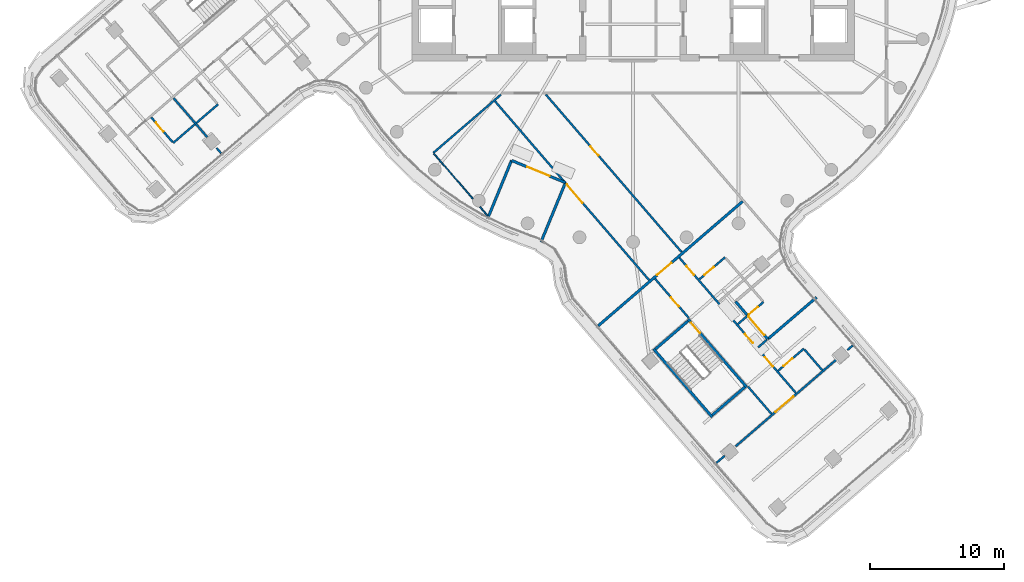
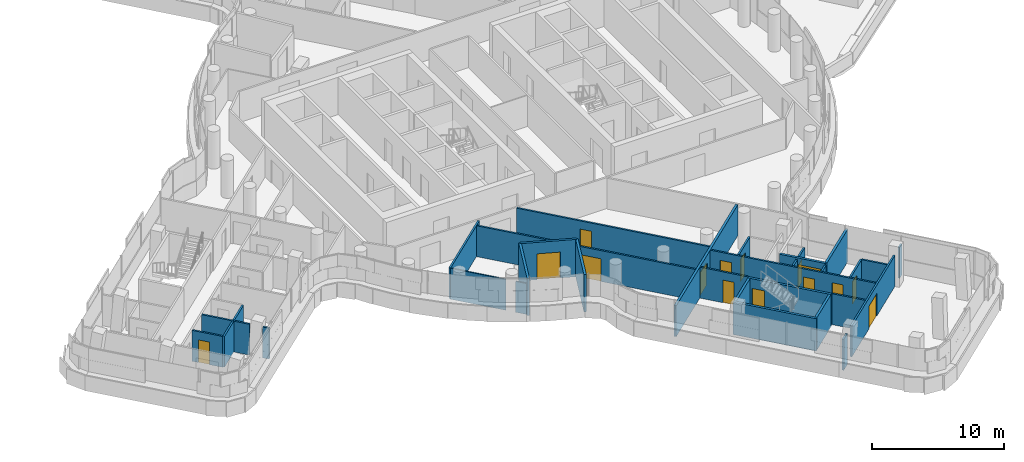
# One storey, part 21 of 34: 30 walls, 15 doors, 15 openings.
"""IFC4 building model written with IfcOpenShell, lengths in metres."""

from ifc_helpers import new_model, si_unit, direction, frame, frame_2d, origin, place, context, subcontext, project, spatial, polyline, rectangle, outline, extrude, material, layer, layer_set, type_object, element, fill, save


model = new_model("IFC4")

# Units and contexts
model_context = context("Model", 3, precision=1e-05, world=origin(), true_north=direction((0.0, 1.0)))
body_context = subcontext(model_context, "Body", "Model", "MODEL_VIEW")
ifc_project = project(units=[si_unit("LENGTHUNIT", "METRE"), si_unit("AREAUNIT", "SQUARE_METRE"), si_unit("VOLUMEUNIT", "CUBIC_METRE"), si_unit("PLANEANGLEUNIT", "RADIAN"), si_unit("MASSUNIT", "GRAM", prefix="KILO")], contexts=[model_context])

# Site, building, storey
site_placement = place(None, origin())
site = spatial("IfcSite", under=ifc_project, at=site_placement, CompositionType="ELEMENT")
building_placement = place(site_placement, origin())
building = spatial("IfcBuilding", under=site, at=building_placement, Name="Tamarind Cross Interchange Tower", CompositionType="ELEMENT")
storey_placement = place(building_placement, frame((0.0, 0.0, 182.5)))
storey = spatial("IfcBuildingStorey", under=building, at=storey_placement, Name="L45", CompositionType="ELEMENT", Elevation=182.5)

# Wall, opening, door
ifc_material_1 = material(Name="Concrete C40", Category="concrete")
ifc_layer_1 = layer(ifc_material_1, 0.199951171875)
ifc_layer_set_1 = layer_set([ifc_layer_1], Name="Concrete C40")
wall_type_1 = type_object("IfcWallType", Name="Balcony and garden door wall", PredefinedType="SOLIDWALL", material=ifc_layer_set_1)
wall_1_placement = place(storey_placement, frame((10.04931640625, -30.243896484375, 0.0), z_axis=(0.0, 0.0, 1.0), x_axis=(-0.650312392962, 0.759666895132, 0.0)))
wall_1 = element("IfcWall", 1, at=wall_1_placement, inside=storey, type_object=wall_type_1, Name="EXW-L45-WG-L45-SNa", PredefinedType="SOLIDWALL", context=body_context, shape_type="SweptSolid", body=[
    extrude(rectangle(XDim=3.69482421875, YDim=0.199951171875, at=frame_2d((1.847412109375, 0.0))), origin(), (0.0, 0.0, 1.0), 3.013916015625),
])
opening_1_placement = place(wall_1_placement, frame((0.39990234375, 0.0, 0.0)))
opening_1 = element("IfcOpeningElement", 2, at=opening_1_placement, cuts=wall_1, Name="Opening D6", PredefinedType="OPENING", context=body_context, shape_type="SweptSolid", body=[
    extrude(rectangle(XDim=1.800048828125, YDim=2.39990234375, at=frame_2d((0.89990234375, 1.199951171875))), frame((0.0, 0.10986328125, 0.0), z_axis=(0.0, -1.0, 0.0), x_axis=(1.0, 0.0, 0.0)), (0.0, 0.0, 1.0), 0.219970703125),
])
ifc_material_2 = material(Name="Aluminium and toughened glass, fire-resisting", Category="aluminium")
door_type_1 = type_object("IfcDoorType", Name="Roof garden door, fire-resisting", OperationType="DOUBLE_DOOR_SINGLE_SWING", PredefinedType="DOOR", material=ifc_material_2)
door_1_placement = place(opening_1_placement, origin())
door_1 = element("IfcDoor", 3, at=door_1_placement, inside=storey, type_object=door_type_1, Name="DOR-L45-WG-L45-SNa", OperationType="SINGLE_SWING_LEFT", OverallHeight=2.39990234375, OverallWidth=1.800048828125, PredefinedType="DOOR", context=body_context, shape_type="SweptSolid", body=[
    extrude(rectangle(XDim=1.800048828125, YDim=2.39990234375, at=frame_2d((0.89990234375, 1.199951171875))), frame((0.0, 0.02490234375, 0.0), z_axis=(0.0, -1.0, 0.0), x_axis=(1.0, 0.0, 0.0)), (0.0, 0.0, 1.0), 0.050048828125),
])
fill(opening_1, door_1)

# Wall
wall_2_placement = place(storey_placement, frame((10.04931640625, -30.243896484375, 0.0), z_axis=(0.0, 0.0, 1.0), x_axis=(0.759644225887, 0.650338873263, 0.0)))
element("IfcWall", 4, at=wall_2_placement, inside=storey, type_object=wall_type_1, Name="EXW-L45-WG-L45-SNa-R0", PredefinedType="SOLIDWALL", context=body_context, shape_type="SweptSolid", body=[
    extrude(rectangle(XDim=4.800048828125, YDim=0.199951171875, at=frame_2d((2.39990234375, 0.0))), origin(), (0.0, 0.0, 1.0), 3.013916015625),
])

# Wall, opening, door
wall_3_placement = place(storey_placement, frame((-9.061767578125, -16.917724609375, 0.0), z_axis=(0.0, 0.0, 1.0), x_axis=(0.924739730044, -0.380600094164, 0.0)))
wall_3 = element("IfcWall", 5, at=wall_3_placement, inside=storey, type_object=wall_type_1, Name="EXW-L45-WG-L45-WS", PredefinedType="SOLIDWALL", context=body_context, shape_type="SweptSolid", body=[
    extrude(rectangle(XDim=4.34716796875, YDim=0.199951171875, at=frame_2d((2.173583984375, 0.0))), origin(), (0.0, 0.0, 1.0), 3.4599609375),
])
opening_2_placement = place(wall_3_placement, frame((1.2734375, 0.0, 0.0)))
opening_2 = element("IfcOpeningElement", 6, at=opening_2_placement, cuts=wall_3, Name="Opening D5", PredefinedType="OPENING", context=body_context, shape_type="SweptSolid", body=[
    extrude(rectangle(XDim=1.800048828125, YDim=2.39990234375, at=frame_2d((0.89990234375, 1.199951171875))), frame((0.0, 0.10986328125, 0.0), z_axis=(0.0, -1.0, 0.0), x_axis=(1.0, 0.0, 0.0)), (0.0, 0.0, 1.0), 0.219970703125),
])
ifc_material_3 = material(Name="Aluminium and toughened glass", Category="aluminium")
door_type_2 = type_object("IfcDoorType", Name="Roof garden door", OperationType="DOUBLE_DOOR_SINGLE_SWING", PredefinedType="DOOR", material=ifc_material_3)
door_2_placement = place(opening_2_placement, origin())
door_2 = element("IfcDoor", 7, at=door_2_placement, inside=storey, type_object=door_type_2, Name="DOR-L45-WG-L45-WS", OperationType="SINGLE_SWING_LEFT", OverallHeight=2.39990234375, OverallWidth=1.800048828125, PredefinedType="DOOR", context=body_context, shape_type="SweptSolid", body=[
    extrude(rectangle(XDim=1.800048828125, YDim=2.39990234375, at=frame_2d((0.89990234375, 1.199951171875))), frame((0.0, 0.02490234375, 0.0), z_axis=(0.0, -1.0, 0.0), x_axis=(1.0, 0.0, 0.0)), (0.0, 0.0, 1.0), 0.050048828125),
])
fill(opening_2, door_2)

# Walls
wall_4_placement = place(storey_placement, frame((-9.0615234375, -16.91796875, 0.0), z_axis=(0.0, 0.0, 1.0), x_axis=(-0.380580288667, -0.924747881251, 0.0)))
element("IfcWall", 8, at=wall_4_placement, inside=storey, type_object=wall_type_1, Name="EXW-L45-WG-L45-WS-R0", PredefinedType="SOLIDWALL", context=body_context, shape_type="SweptSolid", body=[
    extrude(rectangle(XDim=4.70849609375, YDim=0.199951171875, at=frame_2d((2.354248046875, 0.0))), origin(), (0.0, 0.0, 1.0), 3.4599609375),
])
wall_5_placement = place(storey_placement, frame((-5.041748046875, -18.572265625, 0.0), z_axis=(0.0, 0.0, 1.0), x_axis=(-0.380570406195, -0.924751948324, 0.0)))
element("IfcWall", 9, at=wall_5_placement, inside=storey, type_object=wall_type_1, Name="EXW-L45-WG-L45-WS-R1", PredefinedType="SOLIDWALL", context=body_context, shape_type="SweptSolid", body=[
    extrude(rectangle(XDim=4.79150390625, YDim=0.199951171875, at=frame_2d((2.395751953125, 0.0))), origin(), (0.0, 0.0, 1.0), 3.4599609375),
])
ifc_material_4 = material(Name="Gypsum board partition on steel studs", Category="steel")
ifc_layer_2 = layer(ifc_material_4, 0.10009765625)
ifc_layer_set_2 = layer_set([ifc_layer_2], Name="Gypsum board partition on steel studs")
wall_type_2 = type_object("IfcWallType", Name="Partition 100 mm EI 90", PredefinedType="PARTITIONING", material=ifc_layer_set_2)
wall_6_placement = place(storey_placement, frame((-14.846923828125, -16.410888671875, 0.0), z_axis=(0.0, 0.0, 1.0), x_axis=(0.652680882715, -0.757632935753, 0.0)))
element("IfcWall", 10, at=wall_6_placement, inside=storey, type_object=wall_type_2, Name="Partition L45-016", PredefinedType="PARTITIONING", context=body_context, shape_type="SweptSolid", body=[
    extrude(rectangle(XDim=4.443115234375, YDim=0.10009765625, at=frame_2d((2.2216796875, 0.0))), origin(), (0.0, 0.0, 1.0), 2.864013671875),
])
wall_7_placement = place(storey_placement, frame((-11.4248046875, -20.38330078125, 0.0), z_axis=(0.0, 0.0, 1.0), x_axis=(0.652545214722, -0.757749789009, 0.0)))
element("IfcWall", 11, at=wall_7_placement, inside=storey, type_object=wall_type_2, Name="Partition L45-017", PredefinedType="PARTITIONING", context=body_context, shape_type="SweptSolid", body=[
    extrude(rectangle(XDim=0.8818359375, YDim=0.10009765625, at=frame_2d((0.44091796875, 0.0))), origin(), (0.0, 0.0, 1.0), 2.864013671875),
])
ifc_layer_3 = layer(ifc_material_4, 0.14990234375)
ifc_layer_set_3 = layer_set([ifc_layer_3], Name="Gypsum board partition on steel studs")
wall_type_3 = type_object("IfcWallType", Name="Partition 150 mm EI 120", PredefinedType="PARTITIONING", material=ifc_layer_set_3)
wall_8_placement = place(storey_placement, frame((-34.27099609375, -12.26171875, 0.0), z_axis=(0.0, 0.0, 1.0), x_axis=(0.652795291218, -0.757534360781, 0.0)))
element("IfcWall", 12, at=wall_8_placement, inside=storey, type_object=wall_type_3, Name="Partition L45-004", PredefinedType="PARTITIONING", context=body_context, shape_type="SweptSolid", body=[
    extrude(rectangle(XDim=3.848388671875, YDim=0.14990234375, at=frame_2d((1.92431640625, 0.0))), origin(), (0.0, 0.0, 1.0), 2.864013671875),
])
wall_9_placement = place(storey_placement, frame((-31.063232421875, -15.984375, 0.0), z_axis=(0.0, 0.0, 1.0), x_axis=(0.652709025629, -0.757608690462, 0.0)))
element("IfcWall", 13, at=wall_9_placement, inside=storey, type_object=wall_type_3, Name="Partition L45-005", PredefinedType="PARTITIONING", context=body_context, shape_type="SweptSolid", body=[
    extrude(rectangle(XDim=0.523681640625, YDim=0.14990234375, at=frame_2d((0.26171875, 0.0))), origin(), (0.0, 0.0, 1.0), 2.864013671875),
])

# Wall, opening, door
wall_10_placement = place(storey_placement, frame((-35.937744140625, -13.697509765625, 0.0), z_axis=(0.0, 0.0, 1.0), x_axis=(0.652688747073, -0.757626160745, 0.0)))
wall_10 = element("IfcWall", 14, at=wall_10_placement, inside=storey, type_object=wall_type_3, Name="Partition L45-007", PredefinedType="PARTITIONING", context=body_context, shape_type="SweptSolid", body=[
    extrude(rectangle(XDim=2.445068359375, YDim=0.14990234375, at=frame_2d((1.22265625, 0.0))), origin(), (0.0, 0.0, 1.0), 2.864013671875),
])
opening_3_placement = place(wall_10_placement, frame((0.52001953125, 0.0, 0.0)))
opening_3 = element("IfcOpeningElement", 15, at=opening_3_placement, cuts=wall_10, Name="Opening D03", PredefinedType="OPENING", context=body_context, shape_type="SweptSolid", body=[
    extrude(rectangle(XDim=0.89990234375, YDim=2.10009765625, at=frame_2d((0.449951171875, 1.050048828125))), frame((0.0, 0.0849609375, 0.0), z_axis=(0.0, -1.0, 0.0), x_axis=(1.0, 0.0, 0.0)), (0.0, 0.0, 1.0), 0.169921875),
])
ifc_material_5 = material(Name="Fire-resisting door set")
door_type_3 = type_object("IfcDoorType", Name="Interior door 900 x 2100 FD60S", OperationType="SINGLE_SWING_LEFT", PredefinedType="DOOR", material=ifc_material_5)
door_3_placement = place(opening_3_placement, origin())
door_3 = element("IfcDoor", 16, at=door_3_placement, inside=storey, type_object=door_type_3, Name="Door D03", OperationType="SINGLE_SWING_RIGHT", OverallHeight=2.10009765625, OverallWidth=0.89990234375, PredefinedType="DOOR", context=body_context, shape_type="SweptSolid", body=[
    extrude(rectangle(XDim=0.89990234375, YDim=2.10009765625, at=frame_2d((0.449951171875, 1.050048828125))), frame((0.0, 0.02490234375, 0.0), z_axis=(0.0, -1.0, 0.0), x_axis=(1.0, 0.0, 0.0)), (0.0, 0.0, 1.0), 0.050048828125),
])
fill(opening_3, door_3)

wall_11_placement = place(storey_placement, frame((-10.2978515625, -12.49853515625, 0.0), z_axis=(0.0, 0.0, 1.0), x_axis=(0.652713185698, -0.757605106382, 0.0)))
wall_11 = element("IfcWall", 17, at=wall_11_placement, inside=storey, type_object=wall_type_3, Name="Partition L45-024", PredefinedType="PARTITIONING", context=body_context, shape_type="SweptSolid", body=[
    extrude(rectangle(XDim=17.61962890625, YDim=0.14990234375, at=frame_2d((8.809814453125, 0.0))), origin(), (0.0, 0.0, 1.0), 2.864013671875),
])
opening_4_placement = place(wall_11_placement, frame((8.219970703125, 0.0, 0.0)))
opening_4 = element("IfcOpeningElement", 18, at=opening_4_placement, cuts=wall_11, Name="Opening D14", PredefinedType="OPENING", context=body_context, shape_type="SweptSolid", body=[
    extrude(rectangle(XDim=1.800048828125, YDim=2.10009765625, at=frame_2d((0.89990234375, 1.050048828125))), frame((0.0, 0.0849609375, 0.0), z_axis=(0.0, -1.0, 0.0), x_axis=(1.0, 0.0, 0.0)), (0.0, 0.0, 1.0), 0.169921875),
])
door_type_4 = type_object("IfcDoorType", Name="Interior door 1800 x 2100 FD60S", OperationType="DOUBLE_DOOR_SINGLE_SWING", PredefinedType="DOOR", material=ifc_material_5)
door_4_placement = place(opening_4_placement, frame((1.800048828125, 0.0, 0.0), z_axis=(0.0, 0.0, 1.0), x_axis=(-1.0, 0.0, 0.0)))
door_4 = element("IfcDoor", 19, at=door_4_placement, inside=storey, type_object=door_type_4, Name="Door D14", OperationType="DOUBLE_DOOR_SINGLE_SWING", OverallHeight=2.10009765625, OverallWidth=1.800048828125, PredefinedType="DOOR", context=body_context, shape_type="SweptSolid", body=[
    extrude(rectangle(XDim=1.800048828125, YDim=2.10009765625, at=frame_2d((0.89990234375, 1.050048828125))), frame((0.0, 0.02490234375, 0.0), z_axis=(0.0, -1.0, 0.0), x_axis=(1.0, 0.0, 0.0)), (0.0, 0.0, 1.0), 0.050048828125),
])
fill(opening_4, door_4)

wall_12_placement = place(storey_placement, frame((-6.49853515625, -12.006103515625, 0.0), z_axis=(0.0, 0.0, 1.0), x_axis=(0.65272794867, -0.757592387122, 0.0)))
wall_12 = element("IfcWall", 20, at=wall_12_placement, inside=storey, type_object=wall_type_3, Name="Partition L45-026", PredefinedType="PARTITIONING", context=body_context, shape_type="SweptSolid", body=[
    extrude(rectangle(XDim=15.493896484375, YDim=0.14990234375, at=frame_2d((7.7470703125, 0.0))), origin(), (0.0, 0.0, 1.0), 2.864013671875),
])
opening_5_placement = place(wall_12_placement, frame((5.110107421875, 0.0, 0.0)))
opening_5 = element("IfcOpeningElement", 21, at=opening_5_placement, cuts=wall_12, Name="Opening D15", PredefinedType="OPENING", context=body_context, shape_type="SweptSolid", body=[
    extrude(rectangle(XDim=0.89990234375, YDim=2.10009765625, at=frame_2d((0.449951171875, 1.050048828125))), frame((0.0, 0.0849609375, 0.0), z_axis=(0.0, -1.0, 0.0), x_axis=(1.0, 0.0, 0.0)), (0.0, 0.0, 1.0), 0.169921875),
])
door_5_placement = place(opening_5_placement, origin())
door_5 = element("IfcDoor", 22, at=door_5_placement, inside=storey, type_object=door_type_3, Name="Door D15", OperationType="SINGLE_SWING_RIGHT", OverallHeight=2.10009765625, OverallWidth=0.89990234375, PredefinedType="DOOR", context=body_context, shape_type="SweptSolid", body=[
    extrude(rectangle(XDim=0.89990234375, YDim=2.10009765625, at=frame_2d((0.449951171875, 1.050048828125))), frame((0.0, 0.02490234375, 0.0), z_axis=(0.0, -1.0, 0.0), x_axis=(1.0, 0.0, 0.0)), (0.0, 0.0, 1.0), 0.050048828125),
])
fill(opening_5, door_5)

wall_13_placement = place(storey_placement, frame((1.63623046875, -25.73779296875, 0.0), z_axis=(0.0, 0.0, 1.0), x_axis=(0.652804508679, -0.757526417657, 0.0)))
wall_13 = element("IfcWall", 23, at=wall_13_placement, inside=storey, type_object=wall_type_3, Name="Partition L45-033", PredefinedType="PARTITIONING", context=body_context, shape_type="SweptSolid", body=[
    extrude(rectangle(XDim=3.860595703125, YDim=0.14990234375, at=frame_2d((1.93017578125, 0.0))), origin(), (0.0, 0.0, 1.0), 2.864013671875),
])
opening_6_placement = place(wall_13_placement, frame((1.85009765625, 0.0, 0.0)))
opening_6 = element("IfcOpeningElement", 24, at=opening_6_placement, cuts=wall_13, Name="Opening D19", PredefinedType="OPENING", context=body_context, shape_type="SweptSolid", body=[
    extrude(rectangle(XDim=0.89990234375, YDim=2.10009765625, at=frame_2d((0.449951171875, 1.050048828125))), frame((0.0, 0.0849609375, 0.0), z_axis=(0.0, -1.0, 0.0), x_axis=(1.0, 0.0, 0.0)), (0.0, 0.0, 1.0), 0.169921875),
])
door_6_placement = place(opening_6_placement, frame((0.89990234375, 0.0, 0.0), z_axis=(0.0, 0.0, 1.0), x_axis=(-1.0, 0.0, 0.0)))
door_6 = element("IfcDoor", 25, at=door_6_placement, inside=storey, type_object=door_type_3, Name="Door D19", OperationType="SINGLE_SWING_RIGHT", OverallHeight=2.10009765625, OverallWidth=0.89990234375, PredefinedType="DOOR", context=body_context, shape_type="SweptSolid", body=[
    extrude(rectangle(XDim=0.89990234375, YDim=2.10009765625, at=frame_2d((0.449951171875, 1.050048828125))), frame((0.0, 0.02490234375, 0.0), z_axis=(0.0, -1.0, 0.0), x_axis=(1.0, 0.0, 0.0)), (0.0, 0.0, 1.0), 0.050048828125),
])
fill(opening_6, door_6)

# Wall
wall_14_placement = place(storey_placement, frame((8.58154296875, -33.7978515625, 0.0), z_axis=(0.0, 0.0, 1.0), x_axis=(0.652799090174, -0.757531087063, 0.0)))
element("IfcWall", 26, at=wall_14_placement, inside=storey, type_object=wall_type_3, Name="Partition L45-034", PredefinedType="PARTITIONING", context=body_context, shape_type="SweptSolid", body=[
    extrude(rectangle(XDim=2.6806640625, YDim=0.14990234375, at=frame_2d((1.34033203125, 0.0))), origin(), (0.0, 0.0, 1.0), 2.864013671875),
])

# Wall, openings, doors
wall_15_placement = place(storey_placement, frame((3.454345703125, -24.171875, 0.0), z_axis=(0.0, 0.0, 1.0), x_axis=(0.652748517357, -0.757574665025, 0.0)))
wall_15 = element("IfcWall", 27, at=wall_15_placement, inside=storey, type_object=wall_type_3, Name="Partition L45-035", PredefinedType="PARTITIONING", context=body_context, shape_type="SweptSolid", body=[
    extrude(rectangle(XDim=13.319580078125, YDim=0.14990234375, at=frame_2d((6.65966796875, 0.0))), origin(), (0.0, 0.0, 1.0), 2.864013671875),
])
opening_7_placement = place(wall_15_placement, frame((0.800048828125, 0.0, 0.0)))
opening_7 = element("IfcOpeningElement", 28, at=opening_7_placement, cuts=wall_15, Name="Opening D20", PredefinedType="OPENING", context=body_context, shape_type="SweptSolid", body=[
    extrude(rectangle(XDim=0.89990234375, YDim=2.10009765625, at=frame_2d((0.449951171875, 1.050048828125))), frame((0.0, 0.0849609375, 0.0), z_axis=(0.0, -1.0, 0.0), x_axis=(1.0, 0.0, 0.0)), (0.0, 0.0, 1.0), 0.169921875),
])
opening_8_placement = place(wall_15_placement, frame((7.499755859375, 0.0, 0.0)))
opening_8 = element("IfcOpeningElement", 29, at=opening_8_placement, cuts=wall_15, Name="Opening D21", PredefinedType="OPENING", context=body_context, shape_type="SweptSolid", body=[
    extrude(rectangle(XDim=0.89990234375, YDim=2.10009765625, at=frame_2d((0.449951171875, 1.050048828125))), frame((0.0, 0.0849609375, 0.0), z_axis=(0.0, -1.0, 0.0), x_axis=(1.0, 0.0, 0.0)), (0.0, 0.0, 1.0), 0.169921875),
])
opening_9_placement = place(wall_15_placement, frame((9.800048828125, 0.0, 0.0)))
opening_9 = element("IfcOpeningElement", 30, at=opening_9_placement, cuts=wall_15, Name="Opening D22", PredefinedType="OPENING", context=body_context, shape_type="SweptSolid", body=[
    extrude(rectangle(XDim=0.89990234375, YDim=2.10009765625, at=frame_2d((0.449951171875, 1.050048828125))), frame((0.0, 0.0849609375, 0.0), z_axis=(0.0, -1.0, 0.0), x_axis=(1.0, 0.0, 0.0)), (0.0, 0.0, 1.0), 0.169921875),
])
door_7_placement = place(opening_7_placement, origin())
door_7 = element("IfcDoor", 31, at=door_7_placement, inside=storey, type_object=door_type_3, Name="Door D20", OperationType="SINGLE_SWING_RIGHT", OverallHeight=2.10009765625, OverallWidth=0.89990234375, PredefinedType="DOOR", context=body_context, shape_type="SweptSolid", body=[
    extrude(rectangle(XDim=0.89990234375, YDim=2.10009765625, at=frame_2d((0.449951171875, 1.050048828125))), frame((0.0, 0.02490234375, 0.0), z_axis=(0.0, -1.0, 0.0), x_axis=(1.0, 0.0, 0.0)), (0.0, 0.0, 1.0), 0.050048828125),
])
fill(opening_7, door_7)
door_8_placement = place(opening_8_placement, origin())
door_8 = element("IfcDoor", 32, at=door_8_placement, inside=storey, type_object=door_type_3, Name="Door D21", OperationType="SINGLE_SWING_LEFT", OverallHeight=2.10009765625, OverallWidth=0.89990234375, PredefinedType="DOOR", context=body_context, shape_type="SweptSolid", body=[
    extrude(rectangle(XDim=0.89990234375, YDim=2.10009765625, at=frame_2d((0.449951171875, 1.050048828125))), frame((0.0, 0.02490234375, 0.0), z_axis=(0.0, -1.0, 0.0), x_axis=(1.0, 0.0, 0.0)), (0.0, 0.0, 1.0), 0.050048828125),
])
fill(opening_8, door_8)
door_9_placement = place(opening_9_placement, origin())
door_9 = element("IfcDoor", 33, at=door_9_placement, inside=storey, type_object=door_type_3, Name="Door D22", OperationType="SINGLE_SWING_LEFT", OverallHeight=2.10009765625, OverallWidth=0.89990234375, PredefinedType="DOOR", context=body_context, shape_type="SweptSolid", body=[
    extrude(rectangle(XDim=0.89990234375, YDim=2.10009765625, at=frame_2d((0.449951171875, 1.050048828125))), frame((0.0, 0.02490234375, 0.0), z_axis=(0.0, -1.0, 0.0), x_axis=(1.0, 0.0, 0.0)), (0.0, 0.0, 1.0), 0.050048828125),
])
fill(opening_9, door_9)

# Walls
wall_16_placement = place(storey_placement, frame((12.782958984375, -31.0166015625, 0.0), z_axis=(0.0, 0.0, 1.0), x_axis=(0.652637354116, -0.75767043232, 0.0)))
element("IfcWall", 34, at=wall_16_placement, inside=storey, type_object=wall_type_3, Name="Partition L45-037", PredefinedType="PARTITIONING", context=body_context, shape_type="SweptSolid", body=[
    extrude(rectangle(XDim=2.04541015625, YDim=0.14990234375, at=frame_2d((1.022705078125, 0.0))), origin(), (0.0, 0.0, 1.0), 2.864013671875),
])
wall_17_placement = place(storey_placement, frame((-34.29296875, -15.60693359375, 0.0), z_axis=(0.0, 0.0, 1.0), x_axis=(0.757668202235, 0.652639943094, 0.0)))
element("IfcWall", 35, at=wall_17_placement, inside=storey, type_object=wall_type_3, Name="Partition L45-054", PredefinedType="PARTITIONING", context=body_context, shape_type="SweptSolid", body=[
    extrude(rectangle(XDim=4.400390625, YDim=0.14990234375, at=frame_2d((2.2001953125, 0.0))), origin(), (0.0, 0.0, 1.0), 2.864013671875),
])
wall_18_placement = place(storey_placement, frame((-14.89599609375, -16.35400390625, 0.0), z_axis=(0.0, 0.0, 1.0), x_axis=(0.757644724188, 0.652667198432, 0.0)))
element("IfcWall", 36, at=wall_18_placement, inside=storey, type_object=wall_type_3, Name="Partition L45-064", PredefinedType="PARTITIONING", context=body_context, shape_type="SweptSolid", body=[
    extrude(rectangle(XDim=6.64892578125, YDim=0.14990234375, at=frame_2d((3.324462890625, 0.0))), origin(), (0.0, 0.0, 1.0), 2.864013671875),
])

# Wall, opening, door
wall_19_placement = place(storey_placement, frame((4.95166015625, -25.785888671875, 0.0), z_axis=(0.0, 0.0, 1.0), x_axis=(0.757495885979, 0.652839936528, 0.0)))
wall_19 = element("IfcWall", 37, at=wall_19_placement, inside=storey, type_object=wall_type_3, Name="Partition L45-079", PredefinedType="PARTITIONING", context=body_context, shape_type="SweptSolid", body=[
    extrude(rectangle(XDim=2.51953125, YDim=0.14990234375, at=frame_2d((1.259765625, 0.0))), origin(), (0.0, 0.0, 1.0), 2.864013671875),
])
opening_10_placement = place(wall_19_placement, frame((0.52001953125, 0.0, 0.0)))
opening_10 = element("IfcOpeningElement", 38, at=opening_10_placement, cuts=wall_19, Name="Opening D45", PredefinedType="OPENING", context=body_context, shape_type="SweptSolid", body=[
    extrude(rectangle(XDim=0.89990234375, YDim=2.10009765625, at=frame_2d((0.449951171875, 1.050048828125))), frame((0.0, 0.0849609375, 0.0), z_axis=(0.0, -1.0, 0.0), x_axis=(1.0, 0.0, 0.0)), (0.0, 0.0, 1.0), 0.169921875),
])
door_10_placement = place(opening_10_placement, frame((0.89990234375, 0.0, 0.0), z_axis=(0.0, 0.0, 1.0), x_axis=(-1.0, 0.0, 0.0)))
door_10 = element("IfcDoor", 39, at=door_10_placement, inside=storey, type_object=door_type_3, Name="Door D45", OperationType="SINGLE_SWING_LEFT", OverallHeight=2.10009765625, OverallWidth=0.89990234375, PredefinedType="DOOR", context=body_context, shape_type="SweptSolid", body=[
    extrude(rectangle(XDim=0.89990234375, YDim=2.10009765625, at=frame_2d((0.449951171875, 1.050048828125))), frame((0.0, 0.02490234375, 0.0), z_axis=(0.0, -1.0, 0.0), x_axis=(1.0, 0.0, 0.0)), (0.0, 0.0, 1.0), 0.050048828125),
])
fill(opening_10, door_10)

# Wall
wall_20_placement = place(storey_placement, frame((6.217041015625, -39.47900390625, 0.0), z_axis=(0.0, 0.0, 1.0), x_axis=(0.757658475541, 0.652651234918, 0.0)))
element("IfcWall", 40, at=wall_20_placement, inside=storey, type_object=wall_type_3, Name="Partition L45-080", PredefinedType="PARTITIONING", context=body_context, shape_type="SweptSolid", body=[
    extrude(rectangle(XDim=0.82080078125, YDim=0.14990234375, at=frame_2d((0.410400390625, 0.0))), origin(), (0.0, 0.0, 1.0), 2.864013671875),
])

# Wall, opening, door
wall_21_placement = place(storey_placement, frame((7.64599609375, -38.247802734375, 0.0), z_axis=(0.0, 0.0, 1.0), x_axis=(0.757593369708, 0.652726808224, 0.0)))
wall_21 = element("IfcWall", 41, at=wall_21_placement, inside=storey, type_object=wall_type_3, Name="Partition L45-081", PredefinedType="PARTITIONING", context=body_context, shape_type="SweptSolid", body=[
    extrude(rectangle(XDim=9.94091796875, YDim=0.14990234375, at=frame_2d((4.970458984375, 0.0))), origin(), (0.0, 0.0, 1.0), 2.864013671875),
])
opening_11_placement = place(wall_21_placement, frame((3.91259765625, 0.0, 0.0)))
opening_11 = element("IfcOpeningElement", 42, at=opening_11_placement, cuts=wall_21, Name="Opening D46", PredefinedType="OPENING", context=body_context, shape_type="SweptSolid", body=[
    extrude(rectangle(XDim=1.800048828125, YDim=2.10009765625, at=frame_2d((0.89990234375, 1.050048828125))), frame((0.0, 0.0849609375, 0.0), z_axis=(0.0, -1.0, 0.0), x_axis=(1.0, 0.0, 0.0)), (0.0, 0.0, 1.0), 0.169921875),
])
door_11_placement = place(opening_11_placement, frame((1.800048828125, 0.0, 0.0), z_axis=(0.0, 0.0, 1.0), x_axis=(-1.0, 0.0, 0.0)))
door_11 = element("IfcDoor", 43, at=door_11_placement, inside=storey, type_object=door_type_4, Name="Door D46", OperationType="DOUBLE_DOOR_SINGLE_SWING", OverallHeight=2.10009765625, OverallWidth=1.800048828125, PredefinedType="DOOR", context=body_context, shape_type="SweptSolid", body=[
    extrude(rectangle(XDim=1.800048828125, YDim=2.10009765625, at=frame_2d((0.89990234375, 1.050048828125))), frame((0.0, 0.02490234375, 0.0), z_axis=(0.0, -1.0, 0.0), x_axis=(1.0, 0.0, 0.0)), (0.0, 0.0, 1.0), 0.050048828125),
])
fill(opening_11, door_11)

# Wall
wall_22_placement = place(storey_placement, frame((15.984619140625, -31.0634765625, 0.0), z_axis=(0.0, 0.0, 1.0), x_axis=(0.757409961601, 0.652939622069, 0.0)))
element("IfcWall", 44, at=wall_22_placement, inside=storey, type_object=wall_type_3, Name="Partition L45-082", PredefinedType="PARTITIONING", context=body_context, shape_type="SweptSolid", body=[
    extrude(rectangle(XDim=0.5234375, YDim=0.14990234375, at=frame_2d((0.26171875, 0.0))), origin(), (0.0, 0.0, 1.0), 2.864013671875),
])

# Wall, opening, door
wall_23_placement = place(storey_placement, frame((7.823486328125, -29.118896484375, 0.0), z_axis=(0.0, 0.0, 1.0), x_axis=(0.757495885979, 0.652839936528, 0.0)))
wall_23 = element("IfcWall", 45, at=wall_23_placement, inside=storey, type_object=wall_type_3, Name="Partition L45-085", PredefinedType="PARTITIONING", context=body_context, shape_type="SweptSolid", body=[
    extrude(rectangle(XDim=2.51953125, YDim=0.14990234375, at=frame_2d((1.259765625, 0.0))), origin(), (0.0, 0.0, 1.0), 2.864013671875),
])
opening_12_placement = place(wall_23_placement, frame((1.070068359375, 0.0, 0.0)))
opening_12 = element("IfcOpeningElement", 46, at=opening_12_placement, cuts=wall_23, Name="Opening D47", PredefinedType="OPENING", context=body_context, shape_type="SweptSolid", body=[
    extrude(rectangle(XDim=0.89990234375, YDim=2.10009765625, at=frame_2d((0.449951171875, 1.050048828125))), frame((0.0, 0.0849609375, 0.0), z_axis=(0.0, -1.0, 0.0), x_axis=(1.0, 0.0, 0.0)), (0.0, 0.0, 1.0), 0.169921875),
])
door_12_placement = place(opening_12_placement, origin())
door_12 = element("IfcDoor", 47, at=door_12_placement, inside=storey, type_object=door_type_3, Name="Door D47", OperationType="SINGLE_SWING_RIGHT", OverallHeight=2.10009765625, OverallWidth=0.89990234375, PredefinedType="DOOR", context=body_context, shape_type="SweptSolid", body=[
    extrude(rectangle(XDim=0.89990234375, YDim=2.10009765625, at=frame_2d((0.449951171875, 1.050048828125))), frame((0.0, 0.02490234375, 0.0), z_axis=(0.0, -1.0, 0.0), x_axis=(1.0, 0.0, 0.0)), (0.0, 0.0, 1.0), 0.050048828125),
])
fill(opening_12, door_12)

# Wall
wall_24_placement = place(storey_placement, frame((9.32470703125, -30.86181640625, 0.0), z_axis=(0.0, 0.0, 1.0), x_axis=(0.757576004925, 0.652746962277, 0.0)))
element("IfcWall", 48, at=wall_24_placement, inside=storey, type_object=wall_type_3, Name="Partition L45-086", PredefinedType="PARTITIONING", context=body_context, shape_type="SweptSolid", body=[
    extrude(rectangle(XDim=0.852294921875, YDim=0.14990234375, at=frame_2d((0.42626953125, 0.0))), origin(), (0.0, 0.0, 1.0), 2.864013671875),
])

# Wall, opening, door
wall_25_placement = place(storey_placement, frame((10.82568359375, -32.603759765625, 0.0), z_axis=(0.0, 0.0, 1.0), x_axis=(0.757661014591, 0.652648287341, 0.0)))
wall_25 = element("IfcWall", 49, at=wall_25_placement, inside=storey, type_object=wall_type_3, Name="Partition L45-088", PredefinedType="PARTITIONING", context=body_context, shape_type="SweptSolid", body=[
    extrude(rectangle(XDim=2.520263671875, YDim=0.14990234375, at=frame_2d((1.26025390625, 0.0))), origin(), (0.0, 0.0, 1.0), 2.864013671875),
])
opening_13_placement = place(wall_25_placement, frame((0.52001953125, 0.0, 0.0)))
opening_13 = element("IfcOpeningElement", 50, at=opening_13_placement, cuts=wall_25, Name="Opening D48", PredefinedType="OPENING", context=body_context, shape_type="SweptSolid", body=[
    extrude(rectangle(XDim=0.89990234375, YDim=2.10009765625, at=frame_2d((0.449951171875, 1.050048828125))), frame((0.0, 0.0849609375, 0.0), z_axis=(0.0, -1.0, 0.0), x_axis=(1.0, 0.0, 0.0)), (0.0, 0.0, 1.0), 0.169921875),
])
door_13_placement = place(opening_13_placement, frame((0.89990234375, 0.0, 0.0), z_axis=(0.0, 0.0, 1.0), x_axis=(-1.0, 0.0, 0.0)))
door_13 = element("IfcDoor", 51, at=door_13_placement, inside=storey, type_object=door_type_3, Name="Door D48", OperationType="SINGLE_SWING_LEFT", OverallHeight=2.10009765625, OverallWidth=0.89990234375, PredefinedType="DOOR", context=body_context, shape_type="SweptSolid", body=[
    extrude(rectangle(XDim=0.89990234375, YDim=2.10009765625, at=frame_2d((0.449951171875, 1.050048828125))), frame((0.0, 0.02490234375, 0.0), z_axis=(0.0, -1.0, 0.0), x_axis=(1.0, 0.0, 0.0)), (0.0, 0.0, 1.0), 0.050048828125),
])
fill(opening_13, door_13)

ifc_layer_4 = layer(ifc_material_4, 0.199951171875)
ifc_layer_set_4 = layer_set([ifc_layer_4], Name="Gypsum board partition on steel studs")
wall_type_4 = type_object("IfcWallType", Name="Partition 200 mm EI 180", PredefinedType="PARTITIONING", material=ifc_layer_set_4)
wall_26_placement = place(storey_placement, frame((-2.594970703125, -29.251220703125, 0.0), z_axis=(0.0, 0.0, 1.0), x_axis=(0.757604641141, 0.652713725704, 0.0)))
wall_26 = element("IfcWall", 52, at=wall_26_placement, inside=storey, type_object=wall_type_4, Name="Partition L45-078", PredefinedType="PARTITIONING", context=body_context, shape_type="SweptSolid", body=[
    extrude(rectangle(XDim=14.218994140625, YDim=0.199951171875, at=frame_2d((7.109375, 0.0))), origin(), (0.0, 0.0, 1.0), 2.864013671875),
])
opening_14_placement = place(wall_26_placement, frame((5.798828125, 0.0, 0.0)))
opening_14 = element("IfcOpeningElement", 53, at=opening_14_placement, cuts=wall_26, Name="Opening D44", PredefinedType="OPENING", context=body_context, shape_type="SweptSolid", body=[
    extrude(rectangle(XDim=1.39990234375, YDim=2.10009765625, at=frame_2d((0.699951171875, 1.050048828125))), frame((0.0, 0.10986328125, 0.0), z_axis=(0.0, -1.0, 0.0), x_axis=(1.0, 0.0, 0.0)), (0.0, 0.0, 1.0), 0.219970703125),
])
door_type_5 = type_object("IfcDoorType", Name="Interior door 1400 x 2100 FD120S", OperationType="DOUBLE_DOOR_SINGLE_SWING", PredefinedType="DOOR", material=ifc_material_5)
door_14_placement = place(opening_14_placement, origin())
door_14 = element("IfcDoor", 54, at=door_14_placement, inside=storey, type_object=door_type_5, Name="Door D44", OperationType="DOUBLE_DOOR_SINGLE_SWING", OverallHeight=2.10009765625, OverallWidth=1.39990234375, PredefinedType="DOOR", context=body_context, shape_type="SweptSolid", body=[
    extrude(rectangle(XDim=1.39990234375, YDim=2.10009765625, at=frame_2d((0.699951171875, 1.050048828125))), frame((0.0, 0.02490234375, 0.0), z_axis=(0.0, -1.0, 0.0), x_axis=(1.0, 0.0, 0.0)), (0.0, 0.0, 1.0), 0.050048828125),
])
fill(opening_14, door_14)

ifc_layer_5 = layer(ifc_material_1, 0.199951171875)
ifc_layer_set_5 = layer_set([ifc_layer_5], Name="Concrete C40")
wall_type_5 = type_object("IfcWallType", Name="Stair shaft wall 200 mm Concrete C40", PredefinedType="SHEAR", material=ifc_layer_set_5)
wall_27_placement = place(storey_placement, frame((4.1064453125, -28.7578125, -0.139892578125), z_axis=(0.0, 0.0, 1.0), x_axis=(0.652703877257, -0.757613125952, 0.0)))
wall_27 = element("IfcWall", 55, at=wall_27_placement, inside=storey, type_object=wall_type_5, Name="Core wall CWL-L45-ST6-H", PredefinedType="SHEAR", context=body_context, shape_type="SweptSolid", body=[
    extrude(rectangle(XDim=6.699951171875, YDim=0.199951171875, at=frame_2d((3.35009765625, 0.0))), origin(), (0.0, 0.0, 1.0), 3.00390625),
])
opening_15_placement = place(wall_27_placement, frame((0.35009765625, 0.0, 0.0)))
opening_15 = element("IfcOpeningElement", 56, at=opening_15_placement, cuts=wall_27, Name="Opening ST6L45", PredefinedType="OPENING", context=body_context, shape_type="SweptSolid", body=[
    extrude(rectangle(XDim=1.0, YDim=2.10009765625, at=frame_2d((0.5, 1.050048828125))), frame((0.0, 0.10986328125, 0.0), z_axis=(0.0, -1.0, 0.0), x_axis=(1.0, 0.0, 0.0)), (0.0, 0.0, 1.0), 0.219970703125),
])
ifc_material_6 = material(Name="Steel, fire-resisting", Category="steel")
door_type_6 = type_object("IfcDoorType", Name="Core fire door 1000 x 2100 FD90", OperationType="SINGLE_SWING_LEFT", PredefinedType="DOOR", material=ifc_material_6)
door_15_placement = place(opening_15_placement, origin())
door_15 = element("IfcDoor", 57, at=door_15_placement, inside=storey, type_object=door_type_6, Name="L45 stair door ST6", OperationType="SINGLE_SWING_LEFT", OverallHeight=2.10009765625, OverallWidth=1.0, PredefinedType="DOOR", context=body_context, shape_type="SweptSolid", body=[
    extrude(rectangle(XDim=1.0, YDim=2.10009765625, at=frame_2d((0.5, 1.050048828125))), frame((0.0, 0.02490234375, 0.0), z_axis=(0.0, -1.0, 0.0), x_axis=(1.0, 0.0, 0.0)), (0.0, 0.0, 1.0), 0.050048828125),
])
fill(opening_15, door_15)

# Walls
wall_28_placement = place(storey_placement, frame((1.530517578125, -30.97705078125, -0.139892578125), z_axis=(0.0, 0.0, 1.0), x_axis=(0.652724791955, -0.757595106879, 0.0)))
element("IfcWall", 58, at=wall_28_placement, inside=storey, type_object=wall_type_5, Name="Core wall CWL-L45-ST6-C", PredefinedType="SHEAR", context=body_context, shape_type="SweptSolid", body=[
    extrude(rectangle(XDim=6.699951171875, YDim=0.199951171875, at=frame_2d((3.35009765625, 0.0))), origin(), (0.0, 0.0, 1.0), 3.00390625),
])
wall_29_placement = place(storey_placement, frame((1.671630859375, -30.987548828125, -0.139892578125), z_axis=(0.0, 0.0, 1.0), x_axis=(0.75757386542, 0.652749445371, 0.0)))
element("IfcWall", 59, at=wall_29_placement, inside=storey, type_object=wall_type_5, Name="Core wall CWL-L45-ST6-CE", PredefinedType="SHEAR", context=body_context, shape_type="SweptSolid", body=[
    extrude(rectangle(XDim=3.2001953125, YDim=0.199951171875, at=frame_2d((1.60009765625, 0.0))), origin(), (0.0, 0.0, 1.0), 3.00390625),
])
wall_30_placement = place(storey_placement, frame((0.0, 0.0, -0.139892578125)))
element("IfcWall", 60, at=wall_30_placement, inside=storey, type_object=wall_type_5, Name="Core wall CWL-L45-ST6-CF", PredefinedType="SHEAR", context=body_context, shape_type="SweptSolid", body=[
    extrude(outline(polyline([(5.84912109375, -35.836181640625), (5.9794921875, -35.98779296875), (8.40380859375, -33.89892578125), (8.273193359375, -33.747314453125), (5.84912109375, -35.836181640625)])), origin(), (0.0, 0.0, 1.0), 3.00390625),
])

save(model, "model.ifc")
